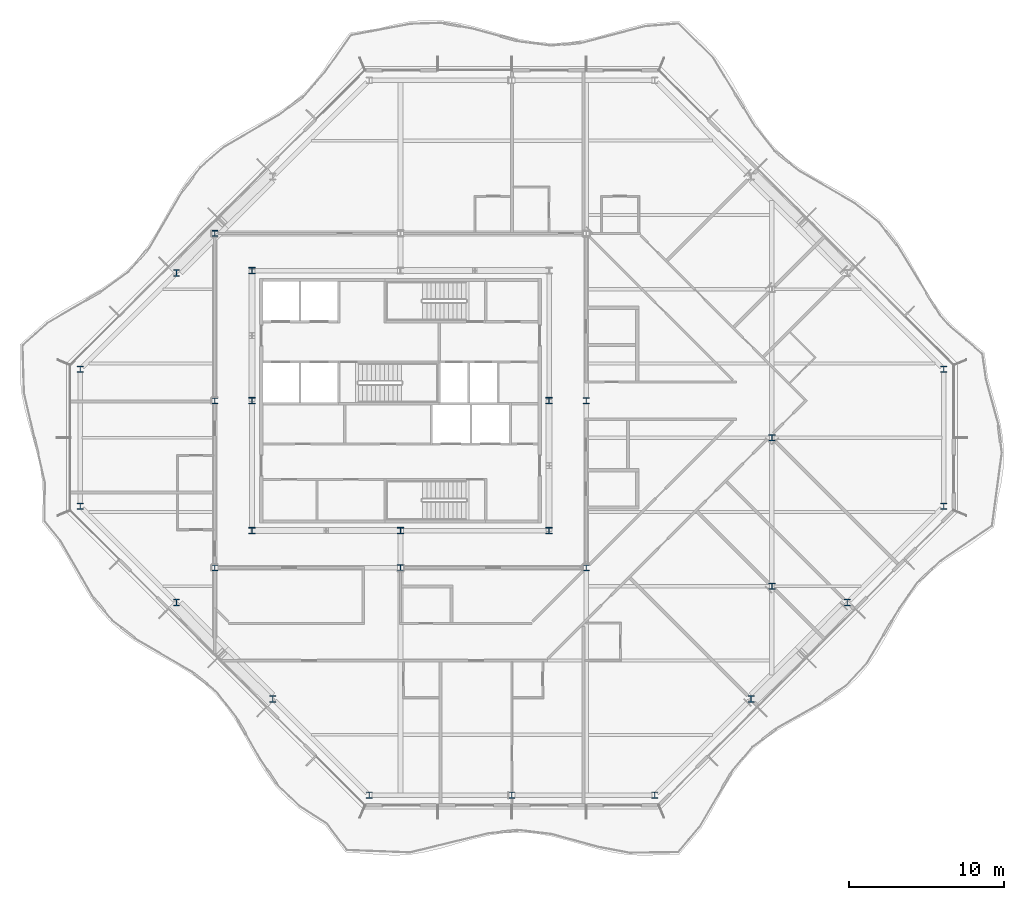
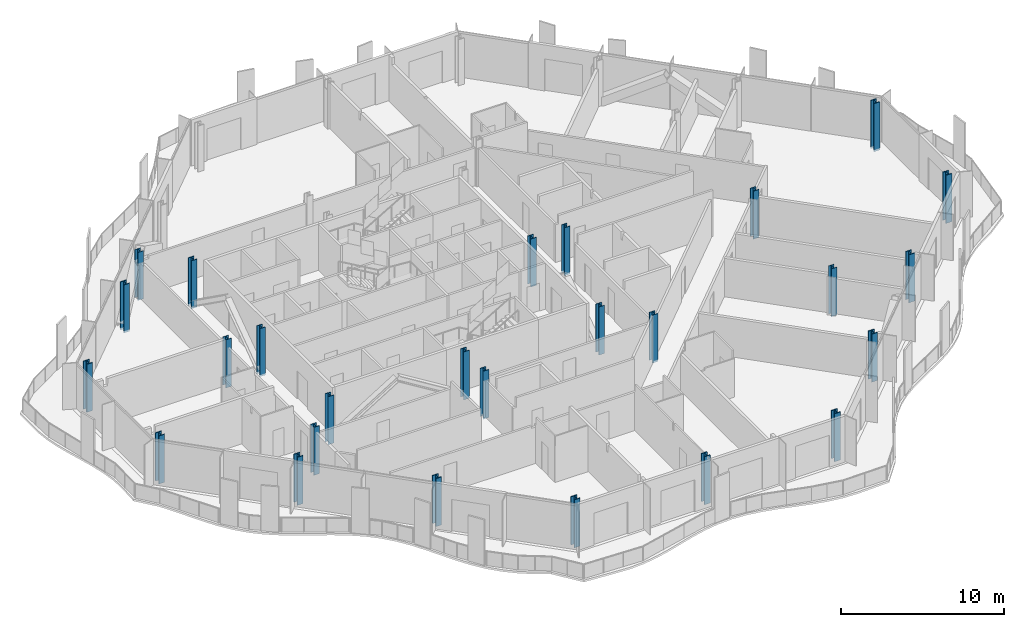
# One storey, part 1 of 17: 26 columns.
"""IFC4 building model written with IfcOpenShell, lengths in metres."""

from ifc_helpers import new_model, si_unit, direction, frame, origin, origin_2d, place, context, subcontext, project, spatial, i_section, extrude, material, material_profile, profile_set, type_object, element, save


model = new_model("IFC4")

# Units and contexts
model_context = context("Model", 3, precision=1e-05, world=origin(), true_north=direction((0.0, 1.0)))
body_context = subcontext(model_context, "Body", "Model", "MODEL_VIEW")
ifc_project = project(units=[si_unit("LENGTHUNIT", "METRE"), si_unit("AREAUNIT", "SQUARE_METRE"), si_unit("VOLUMEUNIT", "CUBIC_METRE"), si_unit("PLANEANGLEUNIT", "RADIAN"), si_unit("MASSUNIT", "GRAM", prefix="KILO")], contexts=[model_context])

# Site, building, storey
site_placement = place(None, origin())
site = spatial("IfcSite", under=ifc_project, at=site_placement, CompositionType="ELEMENT")
building_placement = place(site_placement, origin())
building = spatial("IfcBuilding", under=site, at=building_placement, Name="Cairn Pilgrim Tower", CompositionType="ELEMENT")
storey_placement = place(building_placement, frame((0.0, 0.0, 225.0)))
storey = spatial("IfcBuildingStorey", under=building, at=storey_placement, Name="L57", CompositionType="ELEMENT", Elevation=225.0)

# Columns
ifc_material_1 = material(Name="Structural steel S355J2", Category="steel")
ifc_material_profile_1 = material_profile(ifc_material_1, i_section(OverallWidth=0.39892578125, OverallDepth=0.39306640625, WebThickness=0.022705078125, FlangeThickness=0.03662109375, FilletRadius=0.014892578125, at=origin_2d()), Name="HD 400x287")
ifc_profile_set_1 = profile_set([ifc_material_profile_1], Name="Structural steel S355J2")
column_type_1 = type_object("IfcColumnType", Name="HD 400x287", PredefinedType="COLUMN", material=ifc_profile_set_1)
for number, where, z_axis, x_axis, name in (
    (1, (-4.800048828125, -8.39990234375, -0.14990234375), (0.0, 0.0, 1.0), (1.0, 0.0, 0.0), "IC-1"),
    (2, (7.199951171875, -8.39990234375, -0.14990234375), (0.0, 0.0, 1.0), (1.0, 0.0, 0.0), "IC-2"),
    (3, (19.199951171875, -8.39990234375, -0.14990234375), (0.0, 0.0, 1.0), (1.0, 0.0, 0.0), "IC-3"),
    (4, (-4.800048828125, 2.39990234375, -0.14990234375), (0.0, 0.0, 1.0), (1.0, 0.0, 0.0), "IC-4"),
    (5, (19.199951171875, 2.39990234375, -0.14990234375), (0.0, 0.0, 1.0), (1.0, 0.0, 0.0), "IC-5"),
    (6, (-4.800048828125, 13.199951171875, -0.14990234375), (0.0, 0.0, 1.0), (1.0, 0.0, 0.0), "IC-6"),
    (7, (31.199951171875, -9.60009765625, -0.14990234375), (0.0, 0.0, 1.0), (1.0, 0.0, 0.0), "WC-WE-2"),
    (8, (31.199951171875, 0.0, -0.14990234375), (0.0, 0.0, 1.0), (1.0, 0.0, 0.0), "WC-WE+0"),
):
    element("IfcColumn", number, at=place(storey_placement, frame(where, z_axis=z_axis, x_axis=x_axis)), inside=storey, type_object=column_type_1, Name=name, PredefinedType="COLUMN", context=body_context, shape_type="SweptSolid", body=[
        extrude(i_section(OverallWidth=0.39892578125, OverallDepth=0.39306640625, WebThickness=0.022705078125, FlangeThickness=0.03662109375, FilletRadius=0.014892578125, at=origin_2d()), origin(), (0.0, 0.0, 1.0), 3.599853515625),
    ])
ifc_material_2 = material(Name="Structural steel S460M", Category="steel")
ifc_material_profile_2 = material_profile(ifc_material_2, i_section(OverallWidth=0.404052734375, OverallDepth=0.406982421875, WebThickness=0.027099609375, FlangeThickness=0.043701171875, FilletRadius=0.014892578125, at=origin_2d()), Name="HD 400x347")
ifc_profile_set_2 = profile_set([ifc_material_profile_2], Name="Structural steel S460M")
column_type_2 = type_object("IfcColumnType", Name="HD 400x347", PredefinedType="COLUMN", material=ifc_profile_set_2)
for number, where, z_axis, x_axis, name in (
    (9, (-2.39990234375, -6.0, -0.14990234375), (0.0, 0.0, 1.0), (1.0, 0.0, 0.0), "KC-1"),
    (10, (7.199951171875, -6.0, -0.14990234375), (0.0, 0.0, 1.0), (1.0, 0.0, 0.0), "KC-2"),
    (11, (16.800048828125, -6.0, -0.14990234375), (0.0, 0.0, 1.0), (1.0, 0.0, 0.0), "KC-3"),
    (12, (-2.39990234375, 2.39990234375, -0.14990234375), (0.0, 0.0, 1.0), (1.0, 0.0, 0.0), "KC-4"),
    (13, (16.800048828125, 2.39990234375, -0.14990234375), (0.0, 0.0, 1.0), (1.0, 0.0, 0.0), "KC-5"),
    (14, (-2.39990234375, 10.800048828125, -0.14990234375), (0.0, 0.0, 1.0), (1.0, 0.0, 0.0), "KC-6"),
):
    element("IfcColumn", number, at=place(storey_placement, frame(where, z_axis=z_axis, x_axis=x_axis)), inside=storey, type_object=column_type_2, Name=name, PredefinedType="COLUMN", context=body_context, shape_type="SweptSolid", body=[
        extrude(i_section(OverallWidth=0.404052734375, OverallDepth=0.406982421875, WebThickness=0.027099609375, FlangeThickness=0.043701171875, FilletRadius=0.014892578125, at=origin_2d()), origin(), (0.0, 0.0, 1.0), 3.599853515625),
    ])
ifc_material_profile_3 = material_profile(ifc_material_2, i_section(OverallWidth=0.416015625, OverallDepth=0.446044921875, WebThickness=0.0390625, FlangeThickness=0.062744140625, FilletRadius=0.014892578125, at=origin_2d()), Name="HD 400x509")
ifc_profile_set_3 = profile_set([ifc_material_profile_3], Name="Structural steel S460M")
column_type_3 = type_object("IfcColumnType", Name="HD 400x509", PredefinedType="COLUMN", material=ifc_profile_set_3)
for number, where, z_axis, x_axis, name in (
    (15, (5.1728515625, -23.10009765625, -0.14990234375), (0.0, 0.0, 1.0), (1.0, 0.0, 0.0), "PC3-S1"),
    (16, (14.39990234375, -23.10009765625, -0.14990234375), (0.0, 0.0, 1.0), (1.0, 0.0, 0.0), "PC3-S2"),
    (17, (23.627197265625, -23.10009765625, -0.14990234375), (0.0, 0.0, 1.0), (1.0, 0.0, 0.0), "PC3-SE1"),
    (18, (29.8515625, -16.875732421875, -0.14990234375), (0.0, 0.0, 1.0), (1.0, 0.0, 0.0), "PC3-SE2"),
    (19, (36.07568359375, -10.651611328125, -0.14990234375), (0.0, 0.0, 1.0), (1.0, 0.0, 0.0), "PC3-SE3"),
    (20, (42.300048828125, -4.42724609375, -0.14990234375), (0.0, 0.0, 1.0), (1.0, 0.0, 0.0), "PC3-E1"),
    (21, (42.300048828125, 4.42724609375, -0.14990234375), (0.0, 0.0, 1.0), (1.0, 0.0, 0.0), "PC3-NE1"),
    (22, (-7.275634765625, 10.651611328125, -0.14990234375), (0.0, 0.0, 1.0), (1.0, 0.0, 0.0), "PC3-NW3"),
    (23, (-13.5, 4.42724609375, -0.14990234375), (0.0, 0.0, 1.0), (1.0, 0.0, 0.0), "PC3-W1"),
    (24, (-13.5, -4.42724609375, -0.14990234375), (0.0, 0.0, 1.0), (1.0, 0.0, 0.0), "PC3-SW1"),
    (25, (-7.275634765625, -10.651611328125, -0.14990234375), (0.0, 0.0, 1.0), (1.0, 0.0, 0.0), "PC3-SW2"),
    (26, (-1.051513671875, -16.875732421875, -0.14990234375), (0.0, 0.0, 1.0), (1.0, 0.0, 0.0), "PC3-SW3"),
):
    element("IfcColumn", number, at=place(storey_placement, frame(where, z_axis=z_axis, x_axis=x_axis)), inside=storey, type_object=column_type_3, Name=name, PredefinedType="COLUMN", context=body_context, shape_type="SweptSolid", body=[
        extrude(i_section(OverallWidth=0.416015625, OverallDepth=0.446044921875, WebThickness=0.0390625, FlangeThickness=0.062744140625, FilletRadius=0.014892578125, at=origin_2d()), origin(), (0.0, 0.0, 1.0), 3.599853515625),
    ])

save(model, "model.ifc")
